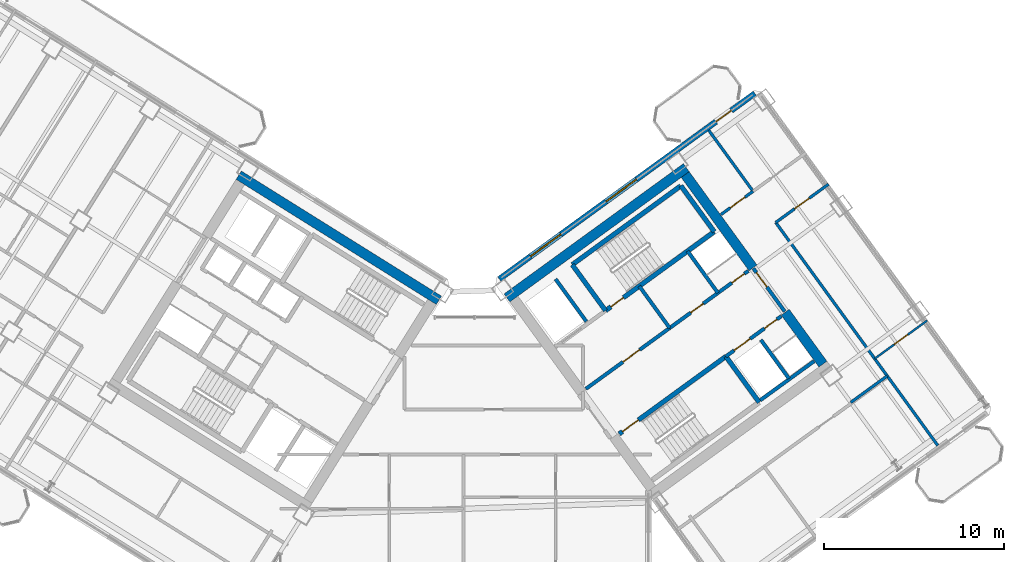
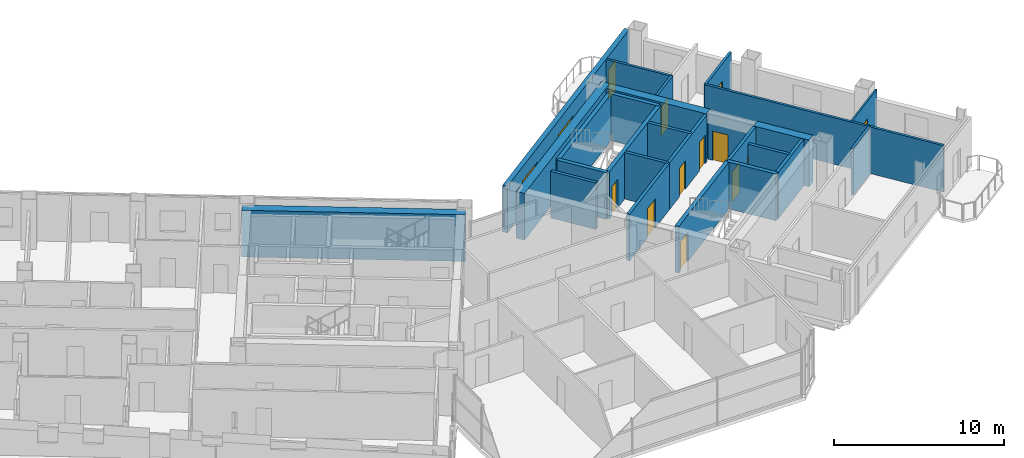
# One storey, part 20 of 29: 26 walls, 12 doors, 2 windows, 14 openings.
"""IFC4 building model written with IfcOpenShell, lengths in metres."""

from ifc_helpers import new_model, si_unit, direction, frame, frame_2d, origin, place, context, subcontext, project, spatial, rectangle, extrude, source, transform, mapped, material, layer, layer_set, type_object, element, fill, save


model = new_model("IFC4")

# Units and contexts
model_context = context("Model", 3, precision=1e-05, world=origin(), true_north=direction((0.0, 1.0)))
body_context = subcontext(model_context, "Body", "Model", "MODEL_VIEW")
ifc_project = project(units=[si_unit("LENGTHUNIT", "METRE"), si_unit("AREAUNIT", "SQUARE_METRE"), si_unit("VOLUMEUNIT", "CUBIC_METRE"), si_unit("PLANEANGLEUNIT", "RADIAN"), si_unit("MASSUNIT", "GRAM", prefix="KILO")], contexts=[model_context])

# Site, building, storey
site_placement = place(None, origin())
site = spatial("IfcSite", under=ifc_project, at=site_placement, CompositionType="ELEMENT")
building_placement = place(site_placement, origin())
building = spatial("IfcBuilding", under=site, at=building_placement, Name="Tlacorven Tower", CompositionType="ELEMENT")
storey_placement = place(building_placement, frame((0.0, 0.0, 158.699951171875)))
storey = spatial("IfcBuildingStorey", under=building, at=storey_placement, Name="L40", CompositionType="ELEMENT", Elevation=158.699951171875)

# Walls
ifc_material_1 = material(Name="Concrete C60/75", Category="concrete")
ifc_layer_1 = layer(ifc_material_1, 0.550048828125)
ifc_layer_set_1 = layer_set([ifc_layer_1], Name="Concrete C60/75")
wall_type_1 = type_object("IfcWallType", Name="WL-COR-550", PredefinedType="SHEAR", material=ifc_layer_set_1)
wall_1_placement = place(storey_placement, frame((40.572998046875, 24.010009765625, 0.0), z_axis=(0.0, 0.0, 1.0), x_axis=(-0.848047359947, 0.529920442413, 0.0)))
element("IfcWall", 1, at=wall_1_placement, inside=storey, type_object=wall_type_1, Name="L40 W core shear wall S1", PredefinedType="SHEAR", context=body_context, shape_type="SweptSolid", body=[
    extrude(rectangle(XDim=13.139892578125, YDim=0.550048828125, at=frame_2d((6.56982421875, 0.0))), origin(), (0.0, 0.0, 1.0), 3.35009765625),
])
wall_2_placement = place(storey_placement, frame((44.364990234375, 24.142333984375, 0.0), z_axis=(0.0, 0.0, 1.0), x_axis=(0.809024304885, 0.587775190107, 0.0)))
element("IfcWall", 2, at=wall_2_placement, inside=storey, type_object=wall_type_1, Name="L40 E core shear wall S2", PredefinedType="SHEAR", context=body_context, shape_type="SweptSolid", body=[
    extrude(rectangle(XDim=12.340087890625, YDim=0.550048828125, at=frame_2d((6.169921875, 0.0))), origin(), (0.0, 0.0, 1.0), 3.35009765625),
])
wall_3_placement = place(storey_placement, frame((61.9580078125, 20.453857421875, 0.0), z_axis=(0.0, 0.0, 1.0), x_axis=(-0.587802113096, 0.809004744015, 0.0)))
element("IfcWall", 3, at=wall_3_placement, inside=storey, type_object=wall_type_1, Name="L40 E core end wall E2.1", PredefinedType="SHEAR", context=body_context, shape_type="SweptSolid", body=[
    extrude(rectangle(XDim=3.574951171875, YDim=0.550048828125, at=frame_2d((1.78759765625, 0.0))), origin(), (0.0, 0.0, 1.0), 3.35009765625),
])
wall_4_placement = place(storey_placement, frame((58.06396484375, 25.8134765625, 0.0), z_axis=(0.0, 0.0, 1.0), x_axis=(-0.587764933797, 0.809031756236, 0.0)))
element("IfcWall", 4, at=wall_4_placement, inside=storey, type_object=wall_type_1, Name="L40 E core end wall E2.2", PredefinedType="SHEAR", context=body_context, shape_type="SweptSolid", body=[
    extrude(rectangle(XDim=6.425048828125, YDim=0.550048828125, at=frame_2d((3.21240234375, 0.0))), origin(), (0.0, 0.0, 1.0), 3.35009765625),
])
ifc_material_2 = material(Name="Gypsum plasterboard acoustic partition", Category="gypsum")
ifc_layer_2 = layer(ifc_material_2, 0.159912109375)
ifc_layer_set_2 = layer_set([ifc_layer_2], Name="Gypsum plasterboard acoustic partition")
wall_type_2 = type_object("IfcWallType", Name="WL-DEM-160", PredefinedType="PARTITIONING", material=ifc_layer_set_2)
wall_5_placement = place(storey_placement, frame((63.5068359375, 18.322021484375, 0.0), z_axis=(0.0, 0.0, 1.0), x_axis=(0.809034604122, 0.587761013791, 0.0)))
element("IfcWall", 5, at=wall_5_placement, inside=storey, type_object=wall_type_2, Name="L40 partition 90", PredefinedType="PARTITIONING", context=body_context, shape_type="SweptSolid", body=[
    extrude(rectangle(XDim=2.510009765625, YDim=0.159912109375, at=frame_2d((1.2548828125, 0.0))), origin(), (0.0, 0.0, 1.0), 3.340087890625),
])

# Wall, opening, door
wall_6_placement = place(storey_placement, frame((56.280517578125, 28.7822265625, 0.0), z_axis=(0.0, 0.0, 1.0), x_axis=(0.80902286611, 0.587777170458, 0.0)))
wall_6 = element("IfcWall", 6, at=wall_6_placement, inside=storey, type_object=wall_type_2, Name="L40 partition 91", PredefinedType="PARTITIONING", context=body_context, shape_type="SweptSolid", body=[
    extrude(rectangle(XDim=2.2080078125, YDim=0.159912109375, at=frame_2d((1.10400390625, 0.0))), origin(), (0.0, 0.0, 1.0), 3.340087890625),
])
opening_1_placement = place(wall_6_placement, frame((0.64794921875, 0.0, 0.0)))
opening_1 = element("IfcOpeningElement", 7, at=opening_1_placement, cuts=wall_6, Name="Opening D11", PredefinedType="OPENING", context=body_context, shape_type="SweptSolid", body=[
    extrude(rectangle(XDim=1.0, YDim=2.10009765625, at=frame_2d((0.5, 1.050048828125))), frame((0.0, 0.08984375, 0.0), z_axis=(0.0, -1.0, 0.0), x_axis=(1.0, 0.0, 0.0)), (0.0, 0.0, 1.0), 0.179931640625),
])
ifc_material_3 = material(Name="Fire-rated steel door assembly", Category="steel")
door_type_1 = type_object("IfcDoorType", Name="DR-FLT-FD60-1000", OperationType="NOTDEFINED", PredefinedType="DOOR", material=ifc_material_3)
shared_shape_1 = source(origin(), body_context, "Body", "SweptSolid", [
    extrude(rectangle(XDim=1.0, YDim=2.10009765625, at=frame_2d((0.5, 1.050048828125))), frame((0.0, 0.02490234375, 0.0), z_axis=(0.0, -1.0, 0.0), x_axis=(1.0, 0.0, 0.0)), (0.0, 0.0, 1.0), 0.050048828125),
])
door_1_placement = place(opening_1_placement, origin())
door_1 = element("IfcDoor", 8, at=door_1_placement, inside=storey, type_object=door_type_1, Name="L40 door 059", OperationType="SINGLE_SWING_RIGHT", OverallHeight=2.10009765625, OverallWidth=1.0, PredefinedType="DOOR", context=body_context, shape_type="MappedRepresentation", body=[
    mapped(shared_shape_1, transform((0.0, 0.0, 0.0), scale=1.0)),
])
fill(opening_1, door_1)

# Walls
wall_7_placement = place(storey_placement, frame((68.35302734375, 15.922119140625, 0.0), z_axis=(0.0, 0.0, 1.0), x_axis=(-0.587782002009, 0.809019355834, 0.0)))
element("IfcWall", 9, at=wall_7_placement, inside=storey, type_object=wall_type_2, Name="L40 partition 92", PredefinedType="PARTITIONING", context=body_context, shape_type="SweptSolid", body=[
    extrude(rectangle(XDim=15.35009765625, YDim=0.159912109375, at=frame_2d((7.675048828125, 0.0))), origin(), (0.0, 0.0, 1.0), 3.340087890625),
])
wall_8_placement = place(storey_placement, frame((58.06689453125, 30.080078125, 0.0), z_axis=(0.0, 0.0, 1.0), x_axis=(-0.587812175236, 0.808997433027, 0.0)))
element("IfcWall", 10, at=wall_8_placement, inside=storey, type_object=wall_type_2, Name="L40 partition 93", PredefinedType="PARTITIONING", context=body_context, shape_type="SweptSolid", body=[
    extrude(rectangle(XDim=4.199951171875, YDim=0.159912109375, at=frame_2d((2.10009765625, 0.0))), origin(), (0.0, 0.0, 1.0), 3.340087890625),
])

# Wall, opening, door
wall_9_placement = place(storey_placement, frame((59.33056640625, 28.340576171875, 0.0), z_axis=(0.0, 0.0, 1.0), x_axis=(0.809003564202, 0.587803736896, 0.0)))
wall_9 = element("IfcWall", 11, at=wall_9_placement, inside=storey, type_object=wall_type_2, Name="L40 partition 95", PredefinedType="PARTITIONING", context=body_context, shape_type="SweptSolid", body=[
    extrude(rectangle(XDim=3.630126953125, YDim=0.159912109375, at=frame_2d((1.81494140625, 0.0))), origin(), (0.0, 0.0, 1.0), 3.340087890625),
])
opening_2_placement = place(wall_9_placement, frame((1.304931640625, 0.0, 0.0)))
opening_2 = element("IfcOpeningElement", 12, at=opening_2_placement, cuts=wall_9, Name="Opening D11", PredefinedType="OPENING", context=body_context, shape_type="SweptSolid", body=[
    extrude(rectangle(XDim=1.0, YDim=2.10009765625, at=frame_2d((0.5, 1.050048828125))), frame((0.0, 0.08984375, 0.0), z_axis=(0.0, -1.0, 0.0), x_axis=(1.0, 0.0, 0.0)), (0.0, 0.0, 1.0), 0.179931640625),
])
door_2_placement = place(opening_2_placement, origin())
door_2 = element("IfcDoor", 13, at=door_2_placement, inside=storey, type_object=door_type_1, Name="L40 door 062", OperationType="SINGLE_SWING_LEFT", OverallHeight=2.10009765625, OverallWidth=1.0, PredefinedType="DOOR", context=body_context, shape_type="MappedRepresentation", body=[
    mapped(shared_shape_1, transform((0.0, 0.0, 0.0), scale=1.0)),
])
fill(opening_2, door_2)

# Wall, openings, door, windows
ifc_material_4 = material(Name="Precast concrete C45/55", Category="concrete")
ifc_layer_3 = layer(ifc_material_4, 0.320068359375)
ifc_layer_set_3 = layer_set([ifc_layer_3], Name="Precast concrete C45/55")
wall_type_3 = type_object("IfcWallType", Name="WL-EXT-320", PredefinedType="STANDARD", material=ifc_layer_set_3)
wall_10_placement = place(storey_placement, frame((43.93798828125, 25.191650390625, 0.0), z_axis=(0.0, 0.0, 1.0), x_axis=(0.809016324578, 0.587786174187, 0.0)))
wall_10 = element("IfcWall", 14, at=wall_10_placement, inside=storey, type_object=wall_type_3, Name="L40 Masonry-Frame Recessed Facade Wall 4", PredefinedType="STANDARD", context=body_context, shape_type="SweptSolid", body=[
    extrude(rectangle(XDim=17.58740234375, YDim=0.320068359375, at=frame_2d((8.793701171875, 0.0))), origin(), (0.0, 0.0, 1.0), 3.35009765625),
])
opening_3_placement = place(wall_10_placement, frame((14.913818359375, 0.0, 0.0)))
opening_3 = element("IfcOpeningElement", 15, at=opening_3_placement, cuts=wall_10, Name="Opening D06", PredefinedType="OPENING", context=body_context, shape_type="SweptSolid", body=[
    extrude(rectangle(XDim=1.050048828125, YDim=2.14990234375, at=frame_2d((0.52490234375, 1.074951171875))), frame((0.0, 0.169921875, 0.0), z_axis=(0.0, -1.0, 0.0), x_axis=(1.0, 0.0, 0.0)), (0.0, 0.0, 1.0), 0.340087890625),
])
opening_4_placement = place(wall_10_placement, frame((2.143798828125, 0.0, 0.800048828125)))
opening_4 = element("IfcOpeningElement", 16, at=opening_4_placement, cuts=wall_10, Name="Opening WN04", PredefinedType="OPENING", context=body_context, shape_type="SweptSolid", body=[
    extrude(rectangle(XDim=2.10009765625, YDim=1.550048828125, at=frame_2d((1.050048828125, 0.77490234375))), frame((0.0, 0.169921875, 0.0), z_axis=(0.0, -1.0, 0.0), x_axis=(1.0, 0.0, 0.0)), (0.0, 0.0, 1.0), 0.340087890625),
])
opening_5_placement = place(wall_10_placement, frame((7.34375, 0.0, 0.800048828125)))
opening_5 = element("IfcOpeningElement", 17, at=opening_5_placement, cuts=wall_10, Name="Opening WN04", PredefinedType="OPENING", context=body_context, shape_type="SweptSolid", body=[
    extrude(rectangle(XDim=2.10009765625, YDim=1.550048828125, at=frame_2d((1.050048828125, 0.77490234375))), frame((0.0, 0.169921875, 0.0), z_axis=(0.0, -1.0, 0.0), x_axis=(1.0, 0.0, 0.0)), (0.0, 0.0, 1.0), 0.340087890625),
])
ifc_material_5 = material(Name="Powder-coated aluminium and timber door", Category="wood")
door_type_2 = type_object("IfcDoorType", Name="DR-EXT-BALC-1050", OperationType="NOTDEFINED", PredefinedType="DOOR", material=ifc_material_5)
shared_shape_2 = source(origin(), body_context, "Body", "SweptSolid", [
    extrude(rectangle(XDim=1.050048828125, YDim=2.14990234375, at=frame_2d((0.52490234375, 1.074951171875))), frame((0.0, 0.02490234375, 0.0), z_axis=(0.0, -1.0, 0.0), x_axis=(1.0, 0.0, 0.0)), (0.0, 0.0, 1.0), 0.050048828125),
])
door_3_placement = place(opening_3_placement, origin())
door_3 = element("IfcDoor", 18, at=door_3_placement, inside=storey, type_object=door_type_2, Name="L40 Outdoor Access Door BAL-L40-E-IN", OperationType="SINGLE_SWING_RIGHT", OverallHeight=2.14990234375, OverallWidth=1.050048828125, PredefinedType="DOOR", context=body_context, shape_type="MappedRepresentation", body=[
    mapped(shared_shape_2, transform((0.0, 0.0, 0.0), scale=1.0)),
])
fill(opening_3, door_3)
ifc_material_6 = material(Name="Dark solar low-E double glazing in anodised aluminium frame", Category="aluminium")
window_type = type_object("IfcWindowType", Name="WN-APT-2100X1750", PartitioningType="SINGLE_PANEL", PredefinedType="WINDOW", material=ifc_material_6)
shared_shape_3 = source(origin(), body_context, "Body", "SweptSolid", [
    extrude(rectangle(XDim=2.10009765625, YDim=1.550048828125, at=frame_2d((1.050048828125, 0.77490234375))), frame((0.0, 0.030029296875, 0.0), z_axis=(0.0, -1.0, 0.0), x_axis=(1.0, 0.0, 0.0)), (0.0, 0.0, 1.0), 0.06005859375),
])
window_1_placement = place(opening_4_placement, origin())
window_1 = element("IfcWindow", 19, at=window_1_placement, inside=storey, type_object=window_type, Name="L40 Recessed Masonry-Frame Window L40-04.1", OverallHeight=1.550048828125, OverallWidth=2.10009765625, PartitioningType="SINGLE_PANEL", PredefinedType="WINDOW", context=body_context, shape_type="MappedRepresentation", body=[
    mapped(shared_shape_3, transform((0.0, 0.0, 0.0), scale=1.0)),
])
fill(opening_4, window_1)
window_2_placement = place(opening_5_placement, origin())
window_2 = element("IfcWindow", 20, at=window_2_placement, inside=storey, type_object=window_type, Name="L40 Recessed Masonry-Frame Window L40-04.2", OverallHeight=1.550048828125, OverallWidth=2.10009765625, PartitioningType="SINGLE_PANEL", PredefinedType="WINDOW", context=body_context, shape_type="MappedRepresentation", body=[
    mapped(shared_shape_3, transform((0.0, 0.0, 0.0), scale=1.0)),
])
fill(opening_5, window_2)

# Wall, opening, door
ifc_material_7 = material(Name="Gypsum plasterboard partition", Category="gypsum")
ifc_layer_4 = layer(ifc_material_7, 0.110107421875)
ifc_layer_set_4 = layer_set([ifc_layer_4], Name="Gypsum plasterboard partition")
wall_type_4 = type_object("IfcWallType", Name="WL-INT-110", PredefinedType="PARTITIONING", material=ifc_layer_set_4)
wall_11_placement = place(storey_placement, frame((64.83935546875, 20.758544921875, 0.0), z_axis=(0.0, 0.0, 1.0), x_axis=(0.809013833588, 0.587789602718, 0.0)))
wall_11 = element("IfcWall", 21, at=wall_11_placement, inside=storey, type_object=wall_type_4, Name="L40 partition 97", PredefinedType="PARTITIONING", context=body_context, shape_type="SweptSolid", body=[
    extrude(rectangle(XDim=3.60986328125, YDim=0.110107421875, at=frame_2d((1.804931640625, 0.0))), origin(), (0.0, 0.0, 1.0), 3.340087890625),
])
opening_6_placement = place(wall_11_placement, frame((1.344970703125, 0.0, 0.0)))
opening_6 = element("IfcOpeningElement", 22, at=opening_6_placement, cuts=wall_11, Name="Opening D12", PredefinedType="OPENING", context=body_context, shape_type="SweptSolid", body=[
    extrude(rectangle(XDim=0.919921875, YDim=2.080078125, at=frame_2d((0.4599609375, 1.0400390625))), frame((0.0, 0.06494140625, 0.0), z_axis=(0.0, -1.0, 0.0), x_axis=(1.0, 0.0, 0.0)), (0.0, 0.0, 1.0), 0.130126953125),
])
door_type_3 = type_object("IfcDoorType", Name="DR-INT-ROOM-0920", OperationType="NOTDEFINED", PredefinedType="DOOR", material=ifc_material_5)
shared_shape_4 = source(origin(), body_context, "Body", "SweptSolid", [
    extrude(rectangle(XDim=0.919921875, YDim=2.080078125, at=frame_2d((0.4599609375, 1.0400390625))), frame((0.0, 0.02490234375, 0.0), z_axis=(0.0, -1.0, 0.0), x_axis=(1.0, 0.0, 0.0)), (0.0, 0.0, 1.0), 0.050048828125),
])
door_4_placement = place(opening_6_placement, origin())
door_4 = element("IfcDoor", 23, at=door_4_placement, inside=storey, type_object=door_type_3, Name="L40 door 063", OperationType="SINGLE_SWING_LEFT", OverallHeight=2.080078125, OverallWidth=0.919921875, PredefinedType="DOOR", context=body_context, shape_type="MappedRepresentation", body=[
    mapped(shared_shape_4, transform((0.0, 0.0, 0.0), scale=1.0)),
])
fill(opening_6, door_4)

ifc_material_8 = material(Name="Concrete C40/50", Category="concrete")
ifc_layer_5 = layer(ifc_material_8, 0.199951171875)
ifc_layer_set_5 = layer_set([ifc_layer_5], Name="Concrete C40/50")
wall_type_5 = type_object("IfcWallType", Name="WL-SHF-200", PredefinedType="STANDARD", material=ifc_layer_set_5)
wall_12_placement = place(storey_placement, frame((48.75830078125, 19.0771484375, 0.0), z_axis=(0.0, 0.0, 1.0), x_axis=(0.809005065155, 0.587801671104, 0.0)))
wall_12 = element("IfcWall", 24, at=wall_12_placement, inside=storey, type_object=wall_type_5, Name="L40 Core E Smoke Lobby Wall", PredefinedType="STANDARD", context=body_context, shape_type="SweptSolid", body=[
    extrude(rectangle(XDim=5.767822265625, YDim=0.199951171875, at=frame_2d((2.8837890625, 0.0))), origin(), (0.0, 0.0, 1.0), 3.340087890625),
])
opening_7_placement = place(wall_12_placement, frame((2.548095703125, 0.0, 0.0)))
opening_7 = element("IfcOpeningElement", 25, at=opening_7_placement, cuts=wall_12, Name="Opening D09", PredefinedType="OPENING", context=body_context, shape_type="SweptSolid", body=[
    extrude(rectangle(XDim=1.14990234375, YDim=2.10009765625, at=frame_2d((0.574951171875, 1.050048828125))), frame((0.0, 0.10986328125, 0.0), z_axis=(0.0, -1.0, 0.0), x_axis=(1.0, 0.0, 0.0)), (0.0, 0.0, 1.0), 0.219970703125),
])
door_type_4 = type_object("IfcDoorType", Name="DR-FFL-FD60-1150", OperationType="NOTDEFINED", PredefinedType="DOOR", material=ifc_material_3)
shared_shape_5 = source(origin(), body_context, "Body", "SweptSolid", [
    extrude(rectangle(XDim=1.14990234375, YDim=2.10009765625, at=frame_2d((0.574951171875, 1.050048828125))), frame((0.0, 0.02490234375, 0.0), z_axis=(0.0, -1.0, 0.0), x_axis=(1.0, 0.0, 0.0)), (0.0, 0.0, 1.0), 0.050048828125),
])
door_5_placement = place(opening_7_placement, origin())
door_5 = element("IfcDoor", 26, at=door_5_placement, inside=storey, type_object=door_type_4, Name="L40 Firefighting Lobby E Fire Door", OperationType="SINGLE_SWING_RIGHT", OverallHeight=2.10009765625, OverallWidth=1.14990234375, PredefinedType="DOOR", context=body_context, shape_type="MappedRepresentation", body=[
    mapped(shared_shape_5, transform((0.0, 0.0, 0.0), scale=1.0)),
])
fill(opening_7, door_5)

# Wall, openings, doors
wall_13_placement = place(storey_placement, frame((56.552978515625, 20.884033203125, 0.0), z_axis=(0.0, 0.0, 1.0), x_axis=(0.809023564264, 0.58777620951, 0.0)))
wall_13 = element("IfcWall", 27, at=wall_13_placement, inside=storey, type_object=wall_type_5, Name="L40 Core E South Lift Shaft Wall", PredefinedType="STANDARD", context=body_context, shape_type="SweptSolid", body=[
    extrude(rectangle(XDim=3.818115234375, YDim=0.199951171875, at=frame_2d((1.9091796875, 0.0))), origin(), (0.0, 0.0, 1.0), 3.340087890625),
])
opening_8_placement = place(wall_13_placement, frame((0.570068359375, 0.0, 0.0)))
opening_8 = element("IfcOpeningElement", 28, at=opening_8_placement, cuts=wall_13, Name="Opening LD01", PredefinedType="OPENING", context=body_context, shape_type="SweptSolid", body=[
    extrude(rectangle(XDim=1.10009765625, YDim=2.14990234375, at=frame_2d((0.550048828125, 1.074951171875))), frame((0.0, 0.10986328125, 0.0), z_axis=(0.0, -1.0, 0.0), x_axis=(1.0, 0.0, 0.0)), (0.0, 0.0, 1.0), 0.219970703125),
])
opening_9_placement = place(wall_13_placement, frame((2.64990234375, 0.0, 0.0)))
opening_9 = element("IfcOpeningElement", 29, at=opening_9_placement, cuts=wall_13, Name="Opening D19", PredefinedType="OPENING", context=body_context, shape_type="SweptSolid", body=[
    extrude(rectangle(XDim=0.860107421875, YDim=2.050048828125, at=frame_2d((0.43017578125, 1.02490234375))), frame((0.0, 0.10986328125, 0.0), z_axis=(0.0, -1.0, 0.0), x_axis=(1.0, 0.0, 0.0)), (0.0, 0.0, 1.0), 0.219970703125),
])
door_type_5 = type_object("IfcDoorType", Name="DR-RSR-FD60-0860", OperationType="NOTDEFINED", PredefinedType="DOOR", material=ifc_material_3)
shared_shape_6 = source(origin(), body_context, "Body", "SweptSolid", [
    extrude(rectangle(XDim=0.860107421875, YDim=2.050048828125, at=frame_2d((0.43017578125, 1.02490234375))), frame((0.0, 0.02490234375, 0.0), z_axis=(0.0, -1.0, 0.0), x_axis=(1.0, 0.0, 0.0)), (0.0, 0.0, 1.0), 0.050048828125),
])
door_6_placement = place(opening_9_placement, origin())
door_6 = element("IfcDoor", 30, at=door_6_placement, inside=storey, type_object=door_type_5, Name="L40 Smoke Extract Riser Access Door", OperationType="SINGLE_SWING_LEFT", OverallHeight=2.050048828125, OverallWidth=0.860107421875, PredefinedType="DOOR", context=body_context, shape_type="MappedRepresentation", body=[
    mapped(shared_shape_6, transform((0.0, 0.0, 0.0), scale=1.0)),
])
fill(opening_9, door_6)
door_type_6 = type_object("IfcDoorType", Name="DR-LFT-SLID-1100", OperationType="DOUBLE_DOOR_SLIDING", PredefinedType="DOOR", material=ifc_material_3)
shared_shape_7 = source(origin(), body_context, "Body", "SweptSolid", [
    extrude(rectangle(XDim=1.10009765625, YDim=2.14990234375, at=frame_2d((0.550048828125, 1.074951171875))), frame((0.0, 0.02490234375, 0.0), z_axis=(0.0, -1.0, 0.0), x_axis=(1.0, 0.0, 0.0)), (0.0, 0.0, 1.0), 0.050048828125),
])
door_7_placement = place(opening_8_placement, origin())
door_7 = element("IfcDoor", 31, at=door_7_placement, inside=storey, type_object=door_type_6, Name="L40 Lift PL-M4 Sliding Landing Door", OperationType="DOUBLE_DOOR_SLIDING", OverallHeight=2.14990234375, OverallWidth=1.10009765625, PredefinedType="DOOR", context=body_context, shape_type="MappedRepresentation", body=[
    mapped(shared_shape_7, transform((0.0, 0.0, 0.0), scale=1.0)),
])
fill(opening_8, door_7)

# Walls
wall_14_placement = place(storey_placement, frame((48.78564453125, 22.830078125, 0.0), z_axis=(0.0, 0.0, 1.0), x_axis=(-0.587783856777, 0.809018008275, 0.0)))
element("IfcWall", 32, at=wall_14_placement, inside=storey, type_object=wall_type_5, Name="L40 partition 36", PredefinedType="STANDARD", context=body_context, shape_type="SweptSolid", body=[
    extrude(rectangle(XDim=2.919921875, YDim=0.199951171875, at=frame_2d((1.4599609375, 0.0))), origin(), (0.0, 0.0, 1.0), 3.340087890625),
])
wall_15_placement = place(storey_placement, frame((60.066650390625, 19.654541015625, 0.0), z_axis=(0.0, 0.0, 1.0), x_axis=(-0.587800520745, 0.809005900975, 0.0)))
element("IfcWall", 33, at=wall_15_placement, inside=storey, type_object=wall_type_5, Name="L40 partition 37", PredefinedType="STANDARD", context=body_context, shape_type="SweptSolid", body=[
    extrude(rectangle(XDim=2.659912109375, YDim=0.199951171875, at=frame_2d((1.330078125, 0.0))), origin(), (0.0, 0.0, 1.0), 3.340087890625),
])
wall_16_placement = place(storey_placement, frame((58.47216796875, 18.446533203125, 0.0), z_axis=(0.0, 0.0, 1.0), x_axis=(0.809018631237, 0.587782999339, 0.0)))
element("IfcWall", 34, at=wall_16_placement, inside=storey, type_object=wall_type_5, Name="L40 partition 39", PredefinedType="STANDARD", context=body_context, shape_type="SweptSolid", body=[
    extrude(rectangle(XDim=3.697998046875, YDim=0.199951171875, at=frame_2d((1.84912109375, 0.0))), origin(), (0.0, 0.0, 1.0), 3.340087890625),
])
wall_17_placement = place(storey_placement, frame((53.424560546875, 22.467529296875, 0.0), z_axis=(0.0, 0.0, 1.0), x_axis=(-0.5877230039, 0.809062216821, 0.0)))
element("IfcWall", 35, at=wall_17_placement, inside=storey, type_object=wall_type_5, Name="L40 partition 41", PredefinedType="STANDARD", context=body_context, shape_type="SweptSolid", body=[
    extrude(rectangle(XDim=2.8798828125, YDim=0.199951171875, at=frame_2d((1.43994140625, 0.0))), origin(), (0.0, 0.0, 1.0), 3.340087890625),
])
wall_18_placement = place(storey_placement, frame((56.110595703125, 24.4189453125, 0.0), z_axis=(0.0, 0.0, 1.0), x_axis=(-0.58777848983, 0.809021907548, 0.0)))
element("IfcWall", 36, at=wall_18_placement, inside=storey, type_object=wall_type_5, Name="L40 partition 42", PredefinedType="STANDARD", context=body_context, shape_type="SweptSolid", body=[
    extrude(rectangle(XDim=2.880126953125, YDim=0.199951171875, at=frame_2d((1.43994140625, 0.0))), origin(), (0.0, 0.0, 1.0), 3.340087890625),
])

# Wall, openings, doors
wall_19_placement = place(storey_placement, frame((53.424560546875, 22.467529296875, 0.0), z_axis=(0.0, 0.0, 1.0), x_axis=(0.809024377198, 0.587775090574, 0.0)))
wall_19 = element("IfcWall", 37, at=wall_19_placement, inside=storey, type_object=wall_type_5, Name="L40 Core E North Service Wall", PredefinedType="STANDARD", context=body_context, shape_type="SweptSolid", body=[
    extrude(rectangle(XDim=5.41796875, YDim=0.199951171875, at=frame_2d((2.708984375, 0.0))), origin(), (0.0, 0.0, 1.0), 3.340087890625),
])
opening_10_placement = place(wall_19_placement, frame((4.280029296875, 0.0, 0.0)))
opening_10 = element("IfcOpeningElement", 38, at=opening_10_placement, cuts=wall_19, Name="Opening D19", PredefinedType="OPENING", context=body_context, shape_type="SweptSolid", body=[
    extrude(rectangle(XDim=0.860107421875, YDim=2.050048828125, at=frame_2d((0.43017578125, 1.02490234375))), frame((0.0, 0.10986328125, 0.0), z_axis=(0.0, -1.0, 0.0), x_axis=(1.0, 0.0, 0.0)), (0.0, 0.0, 1.0), 0.219970703125),
])
opening_11_placement = place(wall_19_placement, frame((1.449951171875, 0.0, 0.0)))
opening_11 = element("IfcOpeningElement", 39, at=opening_11_placement, cuts=wall_19, Name="Opening D19", PredefinedType="OPENING", context=body_context, shape_type="SweptSolid", body=[
    extrude(rectangle(XDim=0.860107421875, YDim=2.050048828125, at=frame_2d((0.43017578125, 1.02490234375))), frame((0.0, 0.10986328125, 0.0), z_axis=(0.0, -1.0, 0.0), x_axis=(1.0, 0.0, 0.0)), (0.0, 0.0, 1.0), 0.219970703125),
])
door_8_placement = place(opening_10_placement, frame((0.860107421875, 0.0, 0.0), z_axis=(0.0, 0.0, 1.0), x_axis=(-1.0, 0.0, 0.0)))
door_8 = element("IfcDoor", 40, at=door_8_placement, inside=storey, type_object=door_type_5, Name="L40 Electrical Riser Access Door E", OperationType="SINGLE_SWING_RIGHT", OverallHeight=2.050048828125, OverallWidth=0.860107421875, PredefinedType="DOOR", context=body_context, shape_type="MappedRepresentation", body=[
    mapped(shared_shape_6, transform((0.0, 0.0, 0.0), scale=1.0)),
])
fill(opening_10, door_8)
door_9_placement = place(opening_11_placement, frame((0.860107421875, 0.0, 0.0), z_axis=(0.0, 0.0, 1.0), x_axis=(-1.0, 0.0, 0.0)))
door_9 = element("IfcDoor", 41, at=door_9_placement, inside=storey, type_object=door_type_5, Name="L40 Housekeeping Linen Access Door E", OperationType="SINGLE_SWING_LEFT", OverallHeight=2.050048828125, OverallWidth=0.860107421875, PredefinedType="DOOR", context=body_context, shape_type="MappedRepresentation", body=[
    mapped(shared_shape_6, transform((0.0, 0.0, 0.0), scale=1.0)),
])
fill(opening_11, door_9)

# Wall, opening, door
wall_20_placement = place(storey_placement, frame((59.827392578125, 23.386474609375, 0.0), z_axis=(0.0, 0.0, 1.0), x_axis=(-0.587803840107, 0.809003489211, 0.0)))
wall_20 = element("IfcWall", 42, at=wall_20_placement, inside=storey, type_object=wall_type_5, Name="L40 partition 89", PredefinedType="STANDARD", context=body_context, shape_type="SweptSolid", body=[
    extrude(rectangle(XDim=2.960205078125, YDim=0.199951171875, at=frame_2d((1.47998046875, 0.0))), origin(), (0.0, 0.0, 1.0), 3.340087890625),
])
opening_12_placement = place(wall_20_placement, frame((1.679931640625, 0.0, 0.0)))
opening_12 = element("IfcOpeningElement", 43, at=opening_12_placement, cuts=wall_20, Name="Opening D11", PredefinedType="OPENING", context=body_context, shape_type="SweptSolid", body=[
    extrude(rectangle(XDim=1.0, YDim=2.10009765625, at=frame_2d((0.5, 1.050048828125))), frame((0.0, 0.10986328125, 0.0), z_axis=(0.0, -1.0, 0.0), x_axis=(1.0, 0.0, 0.0)), (0.0, 0.0, 1.0), 0.219970703125),
])
door_10_placement = place(opening_12_placement, origin())
door_10 = element("IfcDoor", 44, at=door_10_placement, inside=storey, type_object=door_type_1, Name="L40 door 060", OperationType="SINGLE_SWING_LEFT", OverallHeight=2.10009765625, OverallWidth=1.0, PredefinedType="DOOR", context=body_context, shape_type="MappedRepresentation", body=[
    mapped(shared_shape_1, transform((0.0, 0.0, 0.0), scale=1.0)),
])
fill(opening_12, door_10)

# Wall
ifc_material_9 = material(Name="Concrete C50/60", Category="concrete")
ifc_layer_6 = layer(ifc_material_9, 0.260009765625)
ifc_layer_set_6 = layer_set([ifc_layer_6], Name="Concrete C50/60")
wall_type_6 = type_object("IfcWallType", Name="WL-STW-260", PredefinedType="SHEAR", material=ifc_layer_set_6)
wall_21_placement = place(storey_placement, frame((48.005615234375, 25.996337890625, 0.0), z_axis=(0.0, 0.0, 1.0), x_axis=(0.80901903764, 0.587782439969, 0.0)))
element("IfcWall", 45, at=wall_21_placement, inside=storey, type_object=wall_type_6, Name="L40 Stair E1 Far Shear Wall", PredefinedType="SHEAR", context=body_context, shape_type="SweptSolid", body=[
    extrude(rectangle(XDim=7.4599609375, YDim=0.260009765625, at=frame_2d((3.72998046875, 0.0))), origin(), (0.0, 0.0, 1.0), 3.35009765625),
])

# Wall, opening, door
wall_22_placement = place(storey_placement, frame((49.863037109375, 23.439697265625, 0.0), z_axis=(0.0, 0.0, 1.0), x_axis=(0.809003474932, 0.587803859759, 0.0)))
wall_22 = element("IfcWall", 46, at=wall_22_placement, inside=storey, type_object=wall_type_6, Name="L40 Stair E1 Lobby Shear Wall", PredefinedType="SHEAR", context=body_context, shape_type="SweptSolid", body=[
    extrude(rectangle(XDim=7.4599609375, YDim=0.260009765625, at=frame_2d((3.72998046875, 0.0))), origin(), (0.0, 0.0, 1.0), 3.35009765625),
])
opening_13_placement = place(wall_22_placement, frame((0.360107421875, 0.0, 0.0)))
opening_13 = element("IfcOpeningElement", 47, at=opening_13_placement, cuts=wall_22, Name="Opening D19", PredefinedType="OPENING", context=body_context, shape_type="SweptSolid", body=[
    extrude(rectangle(XDim=0.860107421875, YDim=2.050048828125, at=frame_2d((0.43017578125, 1.02490234375))), frame((0.0, 0.14013671875, 0.0), z_axis=(0.0, -1.0, 0.0), x_axis=(1.0, 0.0, 0.0)), (0.0, 0.0, 1.0), 0.280029296875),
])
door_11_placement = place(opening_13_placement, frame((0.860107421875, 0.0, 0.0), z_axis=(0.0, 0.0, 1.0), x_axis=(-1.0, 0.0, 0.0)))
door_11 = element("IfcDoor", 48, at=door_11_placement, inside=storey, type_object=door_type_5, Name="L40 Exit Stair E1 Fire Door", OperationType="SINGLE_SWING_LEFT", OverallHeight=2.050048828125, OverallWidth=0.860107421875, PredefinedType="DOOR", context=body_context, shape_type="MappedRepresentation", body=[
    mapped(shared_shape_6, transform((0.0, 0.0, 0.0), scale=1.0)),
])
fill(opening_13, door_11)

# Walls
wall_23_placement = place(storey_placement, frame((49.85498046875, 23.433837890625, 0.0), z_axis=(0.0, 0.0, 1.0), x_axis=(-0.58776738483, 0.809029975545, 0.0)))
element("IfcWall", 49, at=wall_23_placement, inside=storey, type_object=wall_type_6, Name="L40 Stair E1 West Shear Wall", PredefinedType="SHEAR", context=body_context, shape_type="SweptSolid", body=[
    extrude(rectangle(XDim=3.16015625, YDim=0.260009765625, at=frame_2d((1.580078125, 0.0))), origin(), (0.0, 0.0, 1.0), 3.35009765625),
])
wall_24_placement = place(storey_placement, frame((55.906494140625, 27.83056640625, 0.0), z_axis=(0.0, 0.0, 1.0), x_axis=(-0.587804123638, 0.809003283204, 0.0)))
element("IfcWall", 50, at=wall_24_placement, inside=storey, type_object=wall_type_6, Name="L40 Stair E1 East Shear Wall", PredefinedType="SHEAR", context=body_context, shape_type="SweptSolid", body=[
    extrude(rectangle(XDim=3.159912109375, YDim=0.260009765625, at=frame_2d((1.580078125, 0.0))), origin(), (0.0, 0.0, 1.0), 3.35009765625),
])

# Wall, opening, door
wall_25_placement = place(storey_placement, frame((50.61474609375, 16.569580078125, 0.0), z_axis=(0.0, 0.0, 1.0), x_axis=(0.809028366311, 0.587769599847, 0.0)))
wall_25 = element("IfcWall", 51, at=wall_25_placement, inside=storey, type_object=wall_type_6, Name="L40 Stair E2 Lobby Shear Wall", PredefinedType="SHEAR", context=body_context, shape_type="SweptSolid", body=[
    extrude(rectangle(XDim=7.330078125, YDim=0.260009765625, at=frame_2d((3.6650390625, 0.0))), origin(), (0.0, 0.0, 1.0), 3.35009765625),
])
opening_14_placement = place(wall_25_placement, frame((0.219970703125, 0.0, 0.0)))
opening_14 = element("IfcOpeningElement", 52, at=opening_14_placement, cuts=wall_25, Name="Opening D07", PredefinedType="OPENING", context=body_context, shape_type="SweptSolid", body=[
    extrude(rectangle(XDim=1.10009765625, YDim=2.10009765625, at=frame_2d((0.550048828125, 1.050048828125))), frame((0.0, 0.14013671875, 0.0), z_axis=(0.0, -1.0, 0.0), x_axis=(1.0, 0.0, 0.0)), (0.0, 0.0, 1.0), 0.280029296875),
])
door_type_7 = type_object("IfcDoorType", Name="DR-STR-FD90-1100", OperationType="NOTDEFINED", PredefinedType="DOOR", material=ifc_material_3)
shared_shape_8 = source(origin(), body_context, "Body", "SweptSolid", [
    extrude(rectangle(XDim=1.10009765625, YDim=2.10009765625, at=frame_2d((0.550048828125, 1.050048828125))), frame((0.0, 0.02490234375, 0.0), z_axis=(0.0, -1.0, 0.0), x_axis=(1.0, 0.0, 0.0)), (0.0, 0.0, 1.0), 0.050048828125),
])
door_12_placement = place(opening_14_placement, origin())
door_12 = element("IfcDoor", 53, at=door_12_placement, inside=storey, type_object=door_type_7, Name="L40 Exit Stair E2 Fire Door", OperationType="SINGLE_SWING_LEFT", OverallHeight=2.10009765625, OverallWidth=1.10009765625, PredefinedType="DOOR", context=body_context, shape_type="MappedRepresentation", body=[
    mapped(shared_shape_8, transform((0.0, 0.0, 0.0), scale=1.0)),
])
fill(opening_14, door_12)

# Wall
wall_26_placement = place(storey_placement, frame((58.410400390625, 18.327392578125, 0.0), z_axis=(0.0, 0.0, 1.0), x_axis=(-0.58776738483, 0.809029975545, 0.0)))
element("IfcWall", 54, at=wall_26_placement, inside=storey, type_object=wall_type_6, Name="L40 Stair E2 East Shear Wall", PredefinedType="SHEAR", context=body_context, shape_type="SweptSolid", body=[
    extrude(rectangle(XDim=3.16015625, YDim=0.260009765625, at=frame_2d((1.580078125, 0.0))), origin(), (0.0, 0.0, 1.0), 3.35009765625),
])

save(model, "model.ifc")
